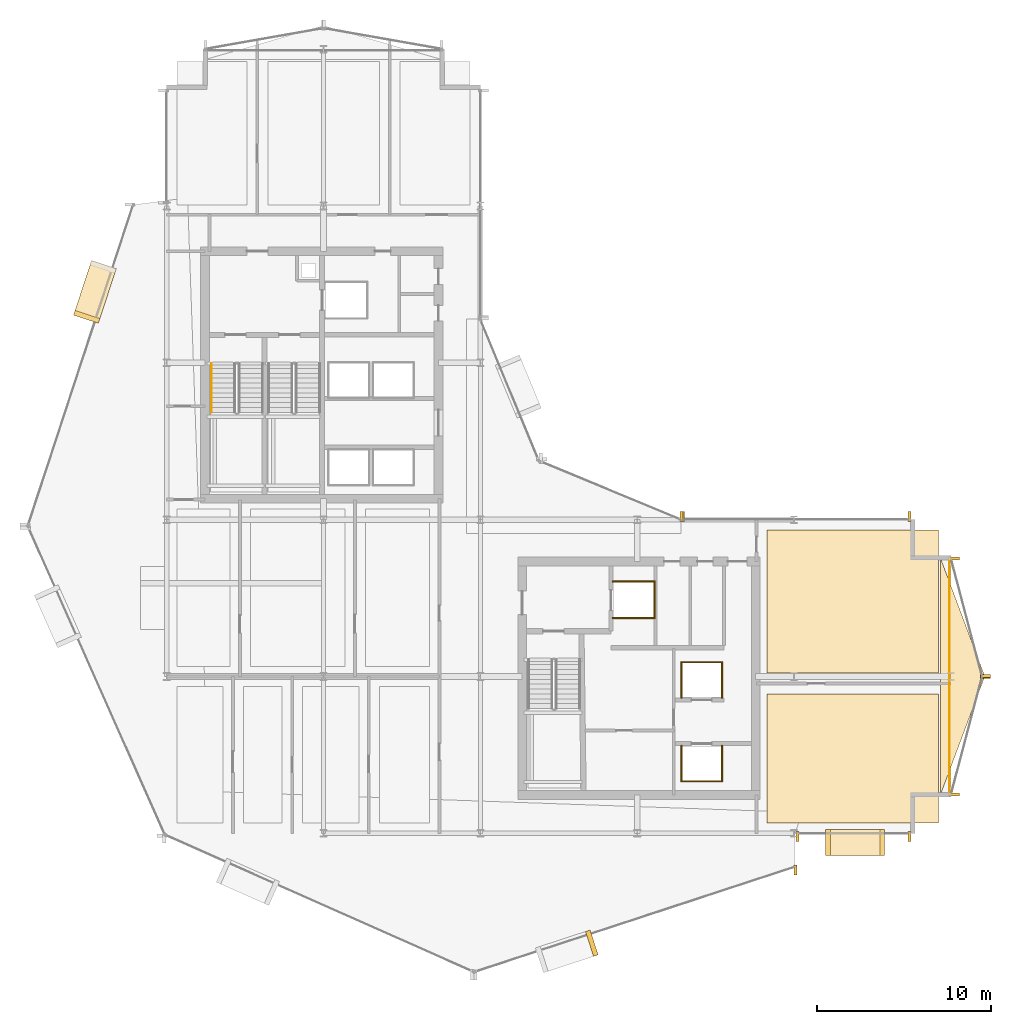
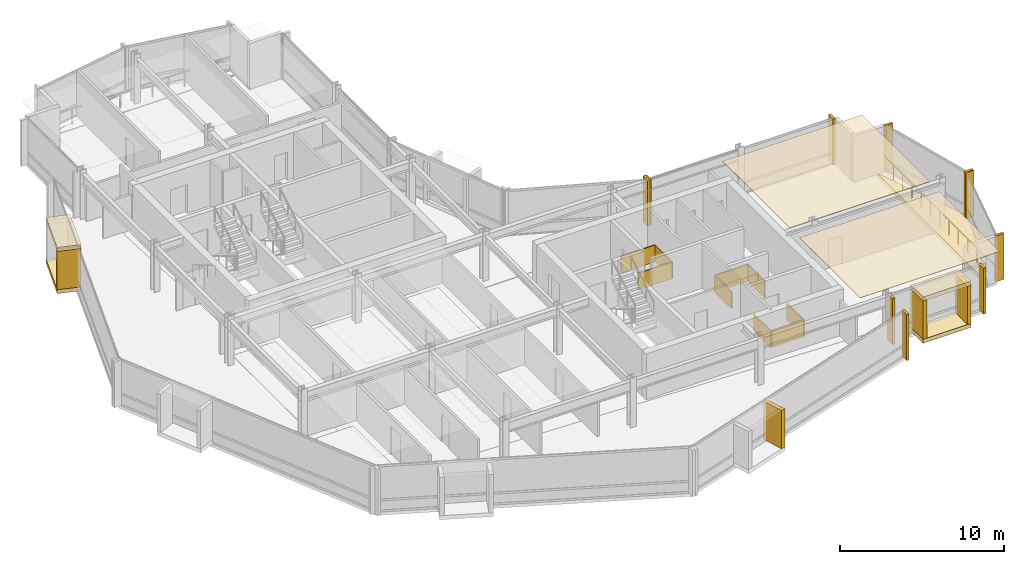
# One storey, part 27 of 28: 30 coverings, 2 railings.
"""IFC4 building model written with IfcOpenShell, lengths in metres."""

from ifc_helpers import new_model, si_unit, direction, frame, origin, origin_2d, place, context, subcontext, project, spatial, polyline, rectangle, circle, outline, extrude, material, layer, layer_set, type_object, element, save


model = new_model("IFC4")

# Units and contexts
model_context = context("Model", 3, precision=1e-05, world=origin(), true_north=direction((0.0, 1.0)))
body_context = subcontext(model_context, "Body", "Model", "MODEL_VIEW")
ifc_project = project(units=[si_unit("LENGTHUNIT", "METRE"), si_unit("AREAUNIT", "SQUARE_METRE"), si_unit("VOLUMEUNIT", "CUBIC_METRE"), si_unit("PLANEANGLEUNIT", "RADIAN"), si_unit("MASSUNIT", "GRAM", prefix="KILO")], contexts=[model_context])

# Site, building, storey
site_placement = place(None, origin())
site = spatial("IfcSite", under=ifc_project, at=site_placement, CompositionType="ELEMENT")
building_placement = place(site_placement, origin())
building = spatial("IfcBuilding", under=site, at=building_placement, Name="Solvaryn Broadcast Tower", CompositionType="ELEMENT")
storey_placement = place(building_placement, frame((0.0, 0.0, 154.39990234375)))
storey = spatial("IfcBuildingStorey", under=building, at=storey_placement, Name="L38", CompositionType="ELEMENT", Elevation=154.39990234375)

# Coverings
ifc_material_1 = material(Name="Micro-Perforated Acoustic Gypsum Ceiling", Category="concrete")
ifc_layer_1 = layer(ifc_material_1, 0.0400390625)
ifc_layer_set_1 = layer_set([ifc_layer_1], Name="CV-CEIL-ACOUSTIC")
covering_type_1 = type_object("IfcCoveringType", Name="CV-CEIL-ACOUSTIC", PredefinedType="CEILING", material=ifc_layer_set_1)
covering_1_placement = place(storey_placement, frame((0.0, 0.0, 3.380126953125)))
element("IfcCovering", 1, at=covering_1_placement, inside=storey, type_object=covering_type_1, Name="L38 Room Acoustic Ceiling 11", PredefinedType="CEILING", context=body_context, shape_type="SweptSolid", body=[
    extrude(outline(polyline([(43.449951171875, 9.60009765625), (53.300048828125, 9.60009765625), (53.300048828125, 17.0), (43.449951171875, 17.0), (43.449951171875, 9.60009765625)])), origin(), (0.0, 0.0, 1.0), 0.0400390625),
])
covering_2_placement = place(storey_placement, frame((0.0, 0.0, 3.380126953125)))
element("IfcCovering", 2, at=covering_2_placement, inside=storey, type_object=covering_type_1, Name="L38 Room Acoustic Ceiling 12", PredefinedType="CEILING", context=body_context, shape_type="SweptSolid", body=[
    extrude(outline(polyline([(43.449951171875, 18.199951171875), (53.300048828125, 18.199951171875), (53.300048828125, 26.39990234375), (43.449951171875, 26.39990234375), (43.449951171875, 18.199951171875)])), origin(), (0.0, 0.0, 1.0), 0.0400390625),
])
ifc_material_2 = material(Name="Fire-Rated Gypsum Shaftwall Liner", Category="concrete")
ifc_layer_2 = layer(ifc_material_2, 0.080078125)
ifc_layer_set_2 = layer_set([ifc_layer_2], Name="CV-SHAFT-LINER")
covering_type_2 = type_object("IfcCoveringType", Name="CV-SHAFT-LINER", PredefinedType="CLADDING", material=ifc_layer_set_2)
for number, where, z_axis, x_axis, name in (
    (3, (35.800048828125, 23.43994140625, 0.0), (0.0, 0.0, 1.0), (1.0, 0.0, 0.0), "L38 FL2 Hoistway Shaft Liner North"),
    (4, (35.800048828125, 21.360107421875, 0.0), (0.0, 0.0, 1.0), (1.0, 0.0, 0.0), "L38 FL2 Hoistway Shaft Liner South"),
):
    element("IfcCovering", number, at=place(storey_placement, frame(where, z_axis=z_axis, x_axis=x_axis)), inside=storey, type_object=covering_type_2, Name=name, PredefinedType="CLADDING", context=body_context, shape_type="SweptSolid", body=[
        extrude(rectangle(XDim=2.4599609375, YDim=0.080078125, at=origin_2d()), origin(), (0.0, 0.0, 1.0), 1.25),
    ])
covering_3_placement = place(storey_placement, frame((36.989990234375, 22.39990234375, 0.0), z_axis=(0.0, 0.0, 1.0), x_axis=(1.0, 0.0, 0.0)))
element("IfcCovering", 5, at=covering_3_placement, inside=storey, type_object=covering_type_2, Name="L38 FL2 Hoistway Shaft Liner East", PredefinedType="CLADDING", context=body_context, shape_type="SweptSolid", body=[
    extrude(rectangle(XDim=0.080078125, YDim=2.159912109375, at=origin_2d()), origin(), (0.0, 0.0, 1.0), 1.25),
])
covering_4_placement = place(storey_placement, frame((39.699951171875, 11.985107421875, 0.0), z_axis=(0.0, 0.0, 1.0), x_axis=(1.0, 0.0, 0.0)))
element("IfcCovering", 6, at=covering_4_placement, inside=storey, type_object=covering_type_2, Name="L38 PM1 Hoistway Shaft Liner South", PredefinedType="CLADDING", context=body_context, shape_type="SweptSolid", body=[
    extrude(rectangle(XDim=2.409912109375, YDim=0.080078125, at=origin_2d()), origin(), (0.0, 0.0, 1.0), 1.25),
])
for number, where, z_axis, x_axis, name in (
    (7, (40.864990234375, 13.0, 0.0), (0.0, 0.0, 1.0), (1.0, 0.0, 0.0), "L38 PM1 Hoistway Shaft Liner East"),
    (8, (38.534912109375, 13.0, 0.0), (0.0, 0.0, 1.0), (1.0, 0.0, 0.0), "L38 PM1 Hoistway Shaft Liner West"),
):
    element("IfcCovering", number, at=place(storey_placement, frame(where, z_axis=z_axis, x_axis=x_axis)), inside=storey, type_object=covering_type_2, Name=name, PredefinedType="CLADDING", context=body_context, shape_type="SweptSolid", body=[
        extrude(rectangle(XDim=0.080078125, YDim=2.110107421875, at=origin_2d()), origin(), (0.0, 0.0, 1.0), 1.25),
    ])
covering_5_placement = place(storey_placement, frame((39.699951171875, 18.81494140625, 0.0), z_axis=(0.0, 0.0, 1.0), x_axis=(1.0, 0.0, 0.0)))
element("IfcCovering", 9, at=covering_5_placement, inside=storey, type_object=covering_type_2, Name="L38 PM2 Hoistway Shaft Liner North", PredefinedType="CLADDING", context=body_context, shape_type="SweptSolid", body=[
    extrude(rectangle(XDim=2.409912109375, YDim=0.080078125, at=origin_2d()), origin(), (0.0, 0.0, 1.0), 1.25),
])
for number, where, z_axis, x_axis, name in (
    (10, (40.864990234375, 17.800048828125, 0.0), (0.0, 0.0, 1.0), (1.0, 0.0, 0.0), "L38 PM2 Hoistway Shaft Liner East"),
    (11, (38.534912109375, 17.800048828125, 0.0), (0.0, 0.0, 1.0), (1.0, 0.0, 0.0), "L38 PM2 Hoistway Shaft Liner West"),
):
    element("IfcCovering", number, at=place(storey_placement, frame(where, z_axis=z_axis, x_axis=x_axis)), inside=storey, type_object=covering_type_2, Name=name, PredefinedType="CLADDING", context=body_context, shape_type="SweptSolid", body=[
        extrude(rectangle(XDim=0.080078125, YDim=2.110107421875, at=origin_2d()), origin(), (0.0, 0.0, 1.0), 1.25),
    ])
ifc_material_3 = material(Name="Glazed Architectural Terracotta Rainscreen Cladding", Category="masonry")
ifc_layer_3 = layer(ifc_material_3, 0.280029296875)
ifc_layer_set_3 = layer_set([ifc_layer_3], Name="CV-TC-CLAD")
covering_type_3 = type_object("IfcCoveringType", Name="CV-TC-CLAD", PredefinedType="CLADDING", material=ifc_layer_set_3)
for number, where, z_axis, x_axis, name in (
    (12, (4.883056640625, 40.071044921875, 3.1298828125), (0.0, 0.0, 1.0), (-0.311671636848, -0.950189870912, 0.0), "L38 Projecting Stone Window Box Hood 1"),
    (13, (4.883056640625, 40.071044921875, -0.009765625), (0.0, 0.0, 1.0), (-0.311671636848, -0.950189870912, 0.0), "L38 Projecting Stone Window Box Sill 1"),
):
    element("IfcCovering", number, at=place(storey_placement, frame(where, z_axis=z_axis, x_axis=x_axis)), inside=storey, type_object=covering_type_3, Name=name, PredefinedType="CLADDING", context=body_context, shape_type="SweptSolid", body=[
        extrude(rectangle(XDim=3.300048828125, YDim=1.5, at=origin_2d()), origin(), (0.0, 0.0, 1.0), 0.300048828125),
    ])
for number, where, z_axis, x_axis, name in (
    (14, (4.412353515625, 38.63623046875, 0.2802734375), (0.0, 0.0, 1.0), (-0.311671636848, -0.950189870912, 0.0), "L38 Projecting Stone Window Box Cheek 1-2"),
    (15, (33.396728515625, 2.693603515625, 0.2802734375), (0.0, 0.0, 1.0), (0.950189870912, 0.311671636848, 0.0), "L38 Projecting Stone Window Box Cheek 4-2"),
):
    element("IfcCovering", number, at=place(storey_placement, frame(where, z_axis=z_axis, x_axis=x_axis)), inside=storey, type_object=covering_type_3, Name=name, PredefinedType="CLADDING", context=body_context, shape_type="SweptSolid", body=[
        extrude(rectangle(XDim=0.280029296875, YDim=1.5, at=origin_2d()), origin(), (0.0, 0.0, 1.0), 2.860107421875),
    ])
for number, where, z_axis, x_axis, name in (
    (16, (48.5, 8.469970703125, 3.1298828125), (0.0, 0.0, 1.0), (1.0, 0.0, 0.0), "L38 Projecting Stone Window Box Hood 6"),
    (17, (48.5, 8.469970703125, -0.009765625), (0.0, 0.0, 1.0), (1.0, 0.0, 0.0), "L38 Projecting Stone Window Box Sill 6"),
):
    element("IfcCovering", number, at=place(storey_placement, frame(where, z_axis=z_axis, x_axis=x_axis)), inside=storey, type_object=covering_type_3, Name=name, PredefinedType="CLADDING", context=body_context, shape_type="SweptSolid", body=[
        extrude(rectangle(XDim=3.39990234375, YDim=1.5, at=origin_2d()), origin(), (0.0, 0.0, 1.0), 0.300048828125),
    ])
for number, where, z_axis, x_axis, name in (
    (18, (46.93994140625, 8.469970703125, 0.2802734375), (0.0, 0.0, 1.0), (1.0, 0.0, 0.0), "L38 Projecting Stone Window Box Cheek 6-1"),
    (19, (50.06005859375, 8.469970703125, 0.2802734375), (0.0, 0.0, 1.0), (1.0, 0.0, 0.0), "L38 Projecting Stone Window Box Cheek 6-2"),
):
    element("IfcCovering", number, at=place(storey_placement, frame(where, z_axis=z_axis, x_axis=x_axis)), inside=storey, type_object=covering_type_3, Name=name, PredefinedType="CLADDING", context=body_context, shape_type="SweptSolid", body=[
        extrude(rectangle(XDim=0.280029296875, YDim=1.5, at=origin_2d()), origin(), (0.0, 0.0, 1.0), 2.860107421875),
    ])
ifc_material_4 = material(Name="Extruded Architectural Terracotta Fin", Category="masonry")
ifc_layer_4 = layer(ifc_material_4, 0.179931640625)
ifc_layer_set_4 = layer_set([ifc_layer_4], Name="CV-TC-FIN")
covering_type_4 = type_object("IfcCoveringType", Name="CV-TC-FIN", PredefinedType="USERDEFINED", material=ifc_layer_set_4)
for number, where, z_axis, x_axis, name in (
    (20, (45.0947265625, 6.898681640625, 0.000244140625), (0.0, 0.0, 1.0), (1.0, 0.0, 0.0), "L38 Terracotta Vertical Fin FIN-L38-DR4-M01"),
    (21, (38.541259765625, 27.177978515625, 0.000244140625), (0.0, 0.0, 1.0), (1.0, 0.0, 0.0), "L38 Terracotta Vertical Fin FIN-L38-CN1-M00"),
    (22, (45.197021484375, 8.8125, 0.000244140625), (0.0, 0.0, 1.0), (1.0, 0.0, 0.0), "L38 Terracotta Vertical Fin FIN-L38-S2-M00"),
    (23, (51.6201171875, 8.8125, 0.000244140625), (0.0, 0.0, 1.0), (1.0, 0.0, 0.0), "L38 Terracotta Vertical Fin FIN-L38-S2-M01"),
):
    element("IfcCovering", number, at=place(storey_placement, frame(where, z_axis=z_axis, x_axis=x_axis)), inside=storey, type_object=covering_type_4, Name=name, ObjectType="FIN", PredefinedType="USERDEFINED", context=body_context, shape_type="SweptSolid", body=[
        extrude(rectangle(XDim=0.179931640625, YDim=0.580078125, at=origin_2d()), origin(), (0.0, 0.0, 1.0), 3.419921875),
    ])
for number, where, z_axis, x_axis, name in (
    (24, (54.1953125, 24.77099609375, 0.000244140625), (0.0, 0.0, 1.0), (1.0, 0.0, 0.0), "L38 Terracotta Vertical Fin FIN-L38-ET1-M00"),
    (25, (55.979736328125, 18.029052734375, 0.000244140625), (0.0, 0.0, 1.0), (1.0, 0.0, 0.0), "L38 Terracotta Vertical Fin FIN-L38-ET1-M01"),
    (26, (55.979736328125, 17.970947265625, 0.000244140625), (0.0, 0.0, 1.0), (1.0, 0.0, 0.0), "L38 Terracotta Vertical Fin FIN-L38-ET2-M00"),
    (27, (54.1953125, 11.22900390625, 0.000244140625), (0.0, 0.0, 1.0), (1.0, 0.0, 0.0), "L38 Terracotta Vertical Fin FIN-L38-ET2-M01"),
):
    element("IfcCovering", number, at=place(storey_placement, frame(where, z_axis=z_axis, x_axis=x_axis)), inside=storey, type_object=covering_type_4, Name=name, ObjectType="FIN", PredefinedType="USERDEFINED", context=body_context, shape_type="SweptSolid", body=[
        extrude(rectangle(XDim=0.580078125, YDim=0.179931640625, at=origin_2d()), origin(), (0.0, 0.0, 1.0), 3.419921875),
    ])
for number, where, z_axis, x_axis, name in (
    (28, (38.6298828125, 27.1875, 0.000244140625), (0.0, 0.0, 1.0), (1.0, 0.0, 0.0), "L38 Terracotta Vertical Fin FIN-L38-IH-M00"),
    (29, (51.6201171875, 27.1875, 0.000244140625), (0.0, 0.0, 1.0), (1.0, 0.0, 0.0), "L38 Terracotta Vertical Fin FIN-L38-IH-M01"),
):
    element("IfcCovering", number, at=place(storey_placement, frame(where, z_axis=z_axis, x_axis=x_axis)), inside=storey, type_object=covering_type_4, Name=name, ObjectType="FIN", PredefinedType="USERDEFINED", context=body_context, shape_type="SweptSolid", body=[
        extrude(rectangle(XDim=0.179931640625, YDim=0.580078125, at=origin_2d()), origin(), (0.0, 0.0, 1.0), 3.419921875),
    ])
ifc_material_5 = material(Name="Sculpted Architectural Terracotta Wave Fascia", Category="masonry")
ifc_layer_5 = layer(ifc_material_5, 0.340087890625)
ifc_layer_set_5 = layer_set([ifc_layer_5], Name="CV-WAVE-TRAY")
covering_type_5 = type_object("IfcCoveringType", Name="CV-WAVE-TRAY", PredefinedType="CLADDING", material=ifc_layer_set_5)
covering_6_placement = place(storey_placement, frame((0.0, 0.0, -0.2998046875)))
element("IfcCovering", 30, at=covering_6_placement, inside=storey, type_object=covering_type_5, Name="L38 East Curved Wing Deck", PredefinedType="CLADDING", context=body_context, shape_type="SweptSolid", body=[
    extrude(outline(polyline([(53.39990234375, 11.199951171875), (55.949951171875, 18.0), (53.39990234375, 24.800048828125), (53.39990234375, 11.199951171875)])), origin(), (0.0, 0.0, 1.0), 0.329833984375),
])

# Railings
ifc_material_6 = material(Name="Brushed Stainless Steel Tubular Handrail", Category="steel")
railing_type_1 = type_object("IfcRailingType", Name="RL-STAIR-HANDRAIL", PredefinedType="HANDRAIL", material=ifc_material_6)
railing_1_placement = place(storey_placement, frame((11.570068359375, 35.9599609375, 0.168212890625)))
element("IfcRailing", 31, at=railing_1_placement, inside=storey, type_object=railing_type_1, Name="L38 ST1 stair handrail 1", PredefinedType="HANDRAIL", context=body_context, shape_type="SweptSolid", body=[
    extrude(circle(Radius=0.02392578125, at=origin_2d()), frame((0.0, 0.0, 0.8759765625), z_axis=(0.0, -0.857242210791, 0.514913383045), x_axis=(1.0, 0.0, 0.0)), (0.0, 0.0, 1.0), 3.266357421875),
    extrude(circle(Radius=0.02099609375, at=origin_2d()), origin(), (0.0, 0.0, 1.0), 0.851806640625),
    extrude(circle(Radius=0.02099609375, at=origin_2d()), frame((0.0, -0.933349609375, 0.560546875)), (0.0, 0.0, 1.0), 0.851806640625),
    extrude(circle(Radius=0.02099609375, at=origin_2d()), frame((0.0, -1.86669921875, 1.121337890625)), (0.0, 0.0, 1.0), 0.851806640625),
    extrude(circle(Radius=0.02099609375, at=origin_2d()), frame((0.0, -2.800048828125, 1.681884765625)), (0.0, 0.0, 1.0), 0.851806640625),
])
ifc_material_7 = material(Name="Stainless Steel and Laminated Glass Guard", Category="steel")
railing_type_2 = type_object("IfcRailingType", Name="RL-TER-1150", PredefinedType="BALUSTRADE", material=ifc_material_7)
railing_2_placement = place(storey_placement, frame((53.919921875, 11.199951171875, 0.0)))
element("IfcRailing", 32, at=railing_2_placement, inside=storey, type_object=railing_type_2, Name="L38 East Wing Spandrel Edge Guard", PredefinedType="BALUSTRADE", context=body_context, shape_type="SweptSolid", body=[
    extrude(circle(Radius=0.02392578125, at=origin_2d()), frame((0.0, 0.0, 1.1259765625), z_axis=(0.0, 1.0, 0.0), x_axis=(-1.0, 0.0, 0.0)), (0.0, 0.0, 1.0), 13.60009765625),
    extrude(circle(Radius=0.02099609375, at=origin_2d()), origin(), (0.0, 0.0, 1.0), 1.101806640625),
    extrude(circle(Radius=0.02099609375, at=origin_2d()), frame((0.0, 1.13330078125, 0.0)), (0.0, 0.0, 1.0), 1.101806640625),
    extrude(circle(Radius=0.02099609375, at=origin_2d()), frame((0.0, 2.2666015625, 0.0)), (0.0, 0.0, 1.0), 1.101806640625),
    extrude(circle(Radius=0.02099609375, at=origin_2d()), frame((0.0, 3.39990234375, 0.0)), (0.0, 0.0, 1.0), 1.101806640625),
    extrude(circle(Radius=0.02099609375, at=origin_2d()), frame((0.0, 4.533447265625, 0.0)), (0.0, 0.0, 1.0), 1.101806640625),
    extrude(circle(Radius=0.02099609375, at=origin_2d()), frame((0.0, 5.666748046875, 0.0)), (0.0, 0.0, 1.0), 1.101806640625),
    extrude(circle(Radius=0.02099609375, at=origin_2d()), frame((0.0, 6.800048828125, 0.0)), (0.0, 0.0, 1.0), 1.101806640625),
    extrude(circle(Radius=0.02099609375, at=origin_2d()), frame((0.0, 7.933349609375, 0.0)), (0.0, 0.0, 1.0), 1.101806640625),
    extrude(circle(Radius=0.02099609375, at=origin_2d()), frame((0.0, 9.066650390625, 0.0)), (0.0, 0.0, 1.0), 1.101806640625),
    extrude(circle(Radius=0.02099609375, at=origin_2d()), frame((0.0, 10.2001953125, 0.0)), (0.0, 0.0, 1.0), 1.101806640625),
    extrude(circle(Radius=0.02099609375, at=origin_2d()), frame((0.0, 11.33349609375, 0.0)), (0.0, 0.0, 1.0), 1.101806640625),
    extrude(circle(Radius=0.02099609375, at=origin_2d()), frame((0.0, 12.466796875, 0.0)), (0.0, 0.0, 1.0), 1.101806640625),
    extrude(circle(Radius=0.02099609375, at=origin_2d()), frame((0.0, 13.60009765625, 0.0)), (0.0, 0.0, 1.0), 1.101806640625),
])

save(model, "model.ifc")
